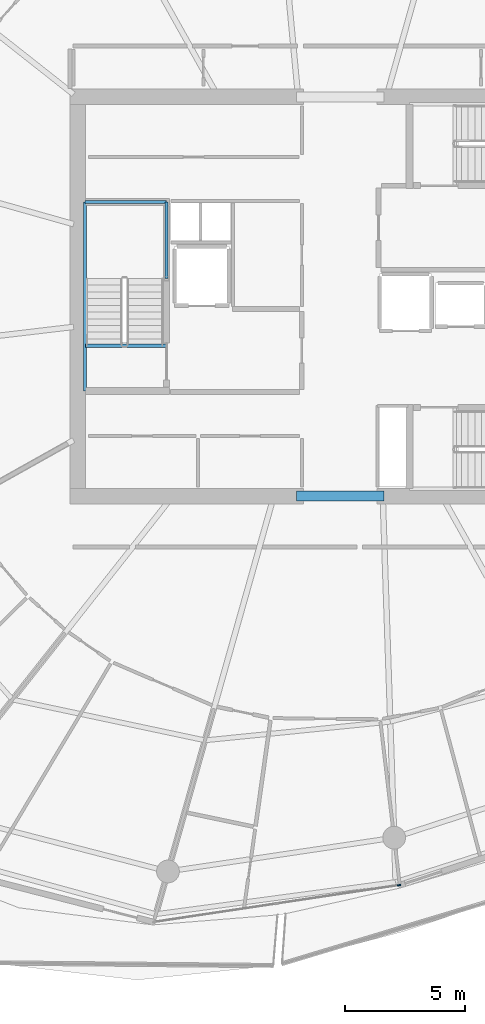
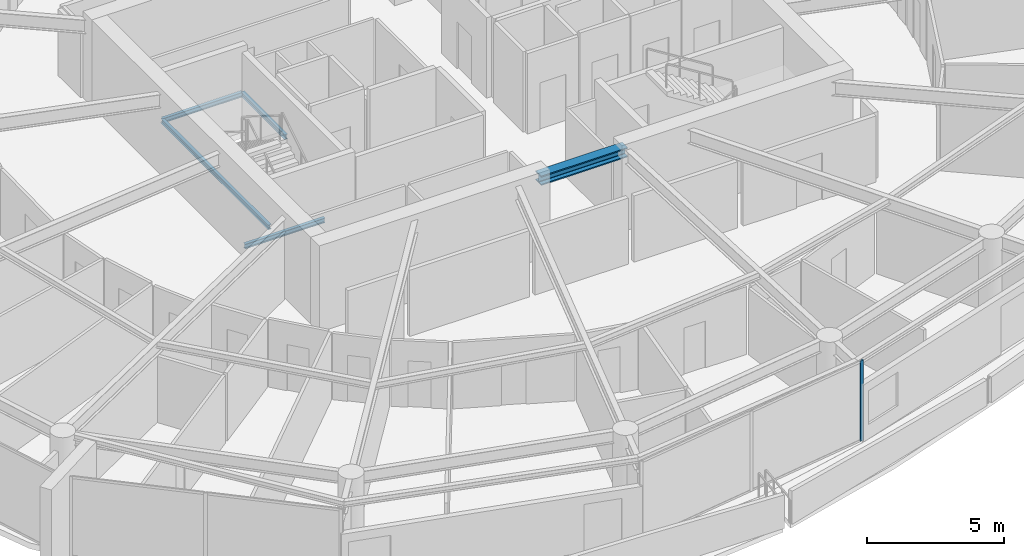
# One storey, part 9 of 30: 5 beams, 1 member, 1 element without a shape of its own.
"""IFC4 building model written with IfcOpenShell, lengths in metres."""

from ifc_helpers import new_model, si_unit, direction, frame, origin, origin_2d, place, context, subcontext, project, spatial, rectangle, i_section, extrude, material, layer, layer_set, material_profile, profile_set, type_object, element, aggregate, save


model = new_model("IFC4")

# Units and contexts
model_context = context("Model", 3, precision=1e-05, world=origin(), true_north=direction((0.0, 1.0)))
body_context = subcontext(model_context, "Body", "Model", "MODEL_VIEW")
ifc_project = project(units=[si_unit("LENGTHUNIT", "METRE"), si_unit("AREAUNIT", "SQUARE_METRE"), si_unit("VOLUMEUNIT", "CUBIC_METRE"), si_unit("PLANEANGLEUNIT", "RADIAN"), si_unit("MASSUNIT", "GRAM", prefix="KILO")], contexts=[model_context])

# Site, building, storey
site_placement = place(None, origin())
site = spatial("IfcSite", under=ifc_project, at=site_placement, CompositionType="ELEMENT")
building_placement = place(site_placement, origin())
building = spatial("IfcBuilding", under=site, at=building_placement, Name="Kazma Halo Residences", CompositionType="ELEMENT")
storey_placement = place(building_placement, frame((0.0, 0.0, 244.39990234375)))
storey = spatial("IfcBuildingStorey", under=building, at=storey_placement, Name="L61", CompositionType="ELEMENT", Elevation=244.39990234375)

# Beams
ifc_material_1 = material(Name="Steel S355", Category="steel")
ifc_material_profile_1 = material_profile(ifc_material_1, i_section(OverallWidth=0.408935546875, OverallDepth=0.425048828125, WebThickness=0.03271484375, FlangeThickness=0.052490234375, FilletRadius=0.02001953125, at=origin_2d()), Name="W360x421")
ifc_profile_set_1 = profile_set([ifc_material_profile_1], Name="Steel S355")
beam_type_1 = type_object("IfcBeamType", Name="BM-CORE-W360H", PredefinedType="BEAM", material=ifc_profile_set_1)
beam_1_placement = place(storey_placement, frame((46.60009765625, 33.675048828125, 3.377685546875), z_axis=(1.0, 0.0, 0.0), x_axis=(0.0, 1.0, 0.0)))
element("IfcBeam", 1, at=beam_1_placement, inside=storey, type_object=beam_type_1, Name="L61 core coupling beam S", PredefinedType="BEAM", context=body_context, shape_type="SweptSolid", body=[
    extrude(i_section(OverallWidth=0.408935546875, OverallDepth=0.425048828125, WebThickness=0.03271484375, FlangeThickness=0.052490234375, FilletRadius=0.02001953125, at=origin_2d()), origin(), (0.0, 0.0, 1.0), 3.64990234375),
])
ifc_material_profile_2 = material_profile(ifc_material_1, i_section(OverallWidth=0.133056640625, OverallDepth=0.20703125, WebThickness=0.005859375, FlangeThickness=0.00830078125, FilletRadius=0.010009765625, at=origin_2d()), Name="W200x26.6")
ifc_profile_set_2 = profile_set([ifc_material_profile_2], Name="Steel S355")
beam_type_2 = type_object("IfcBeamType", Name="BM-TRIM-W200", PredefinedType="BEAM", material=ifc_profile_set_2)
beam_2_placement = place(storey_placement, frame((37.800048828125, 39.949951171875, -0.369873046875), z_axis=(1.0, 0.0, 0.0), x_axis=(0.0, 1.0, 0.0)))
element("IfcBeam", 2, at=beam_2_placement, inside=storey, type_object=beam_type_2, Name="L61 ST-01 floor landing support beam", PredefinedType="BEAM", context=body_context, shape_type="SweptSolid", body=[
    extrude(i_section(OverallWidth=0.133056640625, OverallDepth=0.20703125, WebThickness=0.005859375, FlangeThickness=0.00830078125, FilletRadius=0.010009765625, at=origin_2d()), origin(), (0.0, 0.0, 1.0), 3.3798828125),
])
beam_3_placement = place(storey_placement, frame((37.780029296875, 38.06005859375, 1.6201171875), z_axis=(0.0, 1.0, 0.0), x_axis=(-1.0, 0.0, 0.0)))
element("IfcBeam", 3, at=beam_3_placement, inside=storey, type_object=beam_type_2, Name="L61 ST-01 landing west wall ledger", PredefinedType="BEAM", context=body_context, shape_type="SweptSolid", body=[
    extrude(i_section(OverallWidth=0.133056640625, OverallDepth=0.20703125, WebThickness=0.005859375, FlangeThickness=0.00830078125, FilletRadius=0.010009765625, at=origin_2d()), origin(), (0.0, 0.0, 1.0), 7.8798828125),
])
beam_4_placement = place(storey_placement, frame((41.179931640625, 42.75, 1.6201171875), z_axis=(0.0, 1.0, 0.0), x_axis=(-1.0, 0.0, 0.0)))
element("IfcBeam", 4, at=beam_4_placement, inside=storey, type_object=beam_type_2, Name="L61 ST-01 landing east wall ledger", PredefinedType="BEAM", context=body_context, shape_type="SweptSolid", body=[
    extrude(i_section(OverallWidth=0.133056640625, OverallDepth=0.20703125, WebThickness=0.005859375, FlangeThickness=0.00830078125, FilletRadius=0.010009765625, at=origin_2d()), origin(), (0.0, 0.0, 1.0), 3.18994140625),
])
beam_5_placement = place(storey_placement, frame((37.780029296875, 45.93994140625, 1.6201171875), z_axis=(1.0, 0.0, 0.0), x_axis=(0.0, 1.0, 0.0)))
element("IfcBeam", 5, at=beam_5_placement, inside=storey, type_object=beam_type_2, Name="L61 ST-01 landing end wall ledger", PredefinedType="BEAM", context=body_context, shape_type="SweptSolid", body=[
    extrude(i_section(OverallWidth=0.133056640625, OverallDepth=0.20703125, WebThickness=0.005859375, FlangeThickness=0.00830078125, FilletRadius=0.010009765625, at=origin_2d()), origin(), (0.0, 0.0, 1.0), 3.39990234375),
])

# Curtain wall, member
ifc_material_2 = material(Name="Aluminium AW-6063 T6 and Triple-Silver Low-E Glass", Category="aluminium")
ifc_layer = layer(ifc_material_2, 0.139892578125)
ifc_layer_set = layer_set([ifc_layer], Name="Aluminium AW-6063 T6 and Triple-Silver Low-E Glass")
curtain_wall_type = type_object("IfcCurtainWallType", Name="CW-SYS-5", PredefinedType="NOTDEFINED", material=ifc_layer_set)
curtain_wall_placement = place(storey_placement, origin())
curtain_wall = element("IfcCurtainWall", 6, at=curtain_wall_placement, inside=storey, type_object=curtain_wall_type, Name="L61 unitised curtain wall B11", PredefinedType="NOTDEFINED")
ifc_material_3 = material(Name="Aluminium AW-6063 T6", Category="aluminium")
ifc_material_profile_3 = material_profile(ifc_material_3, rectangle(XDim=0.06005859375, YDim=0.139892578125, at=origin_2d()), Name="CWM-60x140")
ifc_profile_set_3 = profile_set([ifc_material_profile_3], Name="Aluminium AW-6063 T6")
member_type = type_object("IfcMemberType", Name="CW-SYS-5-MUL", PredefinedType="MULLION", material=ifc_profile_set_3)
member_placement = place(storey_placement, frame((50.875732421875, 17.447265625, 0.0), z_axis=(0.0, 0.0, 1.0), x_axis=(-0.148697080374, 0.988882792998, 0.0)))
member = element("IfcMember", 7, at=member_placement, type_object=member_type, Name="CWS-5 mullion 3", PredefinedType="MULLION", context=body_context, shape_type="SweptSolid", body=[
    extrude(rectangle(XDim=0.06005859375, YDim=0.139892578125, at=origin_2d()), origin(), (0.0, 0.0, 1.0), 3.590087890625),
])
aggregate(curtain_wall, [member])

save(model, "model.ifc")
